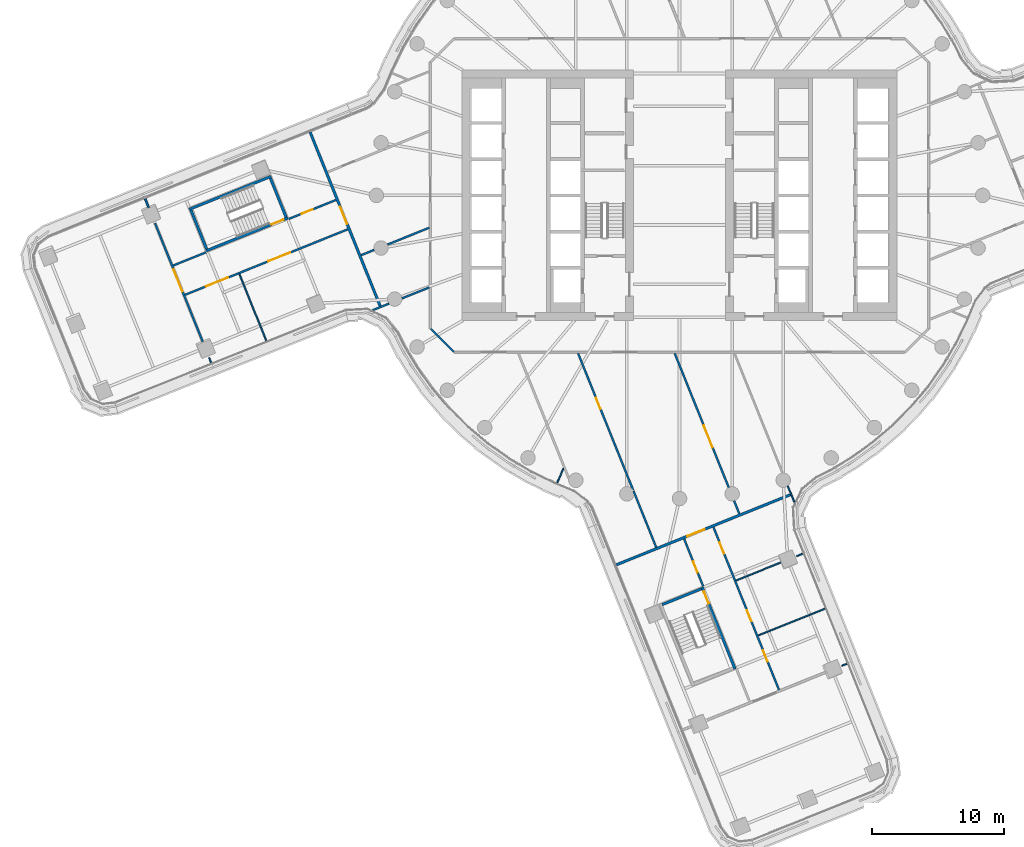
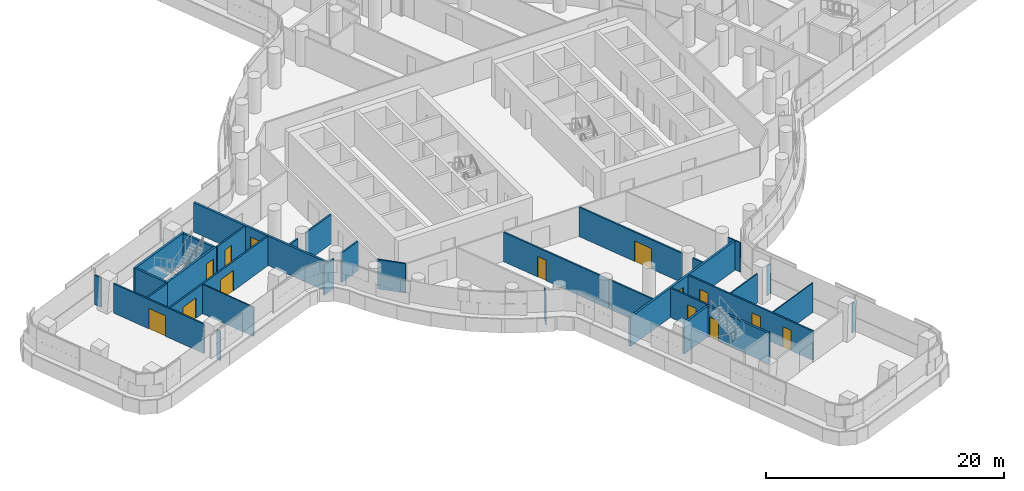
# One storey, part 20 of 32: 32 walls, 14 doors, 14 openings.
"""IFC4 building model written with IfcOpenShell, lengths in metres."""

from ifc_helpers import new_model, si_unit, direction, frame, frame_2d, origin, place, context, subcontext, project, spatial, polyline, rectangle, outline, extrude, material, layer, layer_set, type_object, element, fill, save


model = new_model("IFC4")

# Units and contexts
model_context = context("Model", 3, precision=1e-05, world=origin(), true_north=direction((0.0, 1.0)))
body_context = subcontext(model_context, "Body", "Model", "MODEL_VIEW")
ifc_project = project(units=[si_unit("LENGTHUNIT", "METRE"), si_unit("AREAUNIT", "SQUARE_METRE"), si_unit("VOLUMEUNIT", "CUBIC_METRE"), si_unit("PLANEANGLEUNIT", "RADIAN"), si_unit("MASSUNIT", "GRAM", prefix="KILO")], contexts=[model_context])

# Site, building, storey
site_placement = place(None, origin())
site = spatial("IfcSite", under=ifc_project, at=site_placement, CompositionType="ELEMENT")
building_placement = place(site_placement, origin())
building = spatial("IfcBuilding", under=site, at=building_placement, Name="Tamarind Cross Interchange Tower", CompositionType="ELEMENT")
storey_placement = place(building_placement, frame((0.0, 0.0, 113.5)))
storey = spatial("IfcBuildingStorey", under=building, at=storey_placement, Name="L27", CompositionType="ELEMENT", Elevation=113.5)

# Walls
ifc_material_1 = material(Name="Gypsum board partition on steel studs", Category="steel")
ifc_layer_1 = layer(ifc_material_1, 0.10009765625)
ifc_layer_set_1 = layer_set([ifc_layer_1], Name="Gypsum board partition on steel studs")
wall_type_1 = type_object("IfcWallType", Name="Partition 100 mm EI 90", PredefinedType="PARTITIONING", material=ifc_layer_set_1)
wall_1_placement = place(storey_placement, frame((-35.692138671875, -12.310546875, 0.0), z_axis=(0.0, 0.0, 1.0), x_axis=(0.373446869977, -0.92765156999, 0.0)))
element("IfcWall", 1, at=wall_1_placement, inside=storey, type_object=wall_type_1, Name="Partition L27-003", PredefinedType="PARTITIONING", context=body_context, shape_type="SweptSolid", body=[
    extrude(rectangle(XDim=0.4091796875, YDim=0.10009765625, at=frame_2d((0.20458984375, 0.0))), origin(), (0.0, 0.0, 1.0), 3.010009765625),
])
wall_2_placement = place(storey_placement, frame((-33.39697265625, -5.965576171875, 0.0), z_axis=(0.0, 0.0, 1.0), x_axis=(0.373724448616, -0.92753977624, 0.0)))
element("IfcWall", 2, at=wall_2_placement, inside=storey, type_object=wall_type_1, Name="Partition L27-004", PredefinedType="PARTITIONING", context=body_context, shape_type="SweptSolid", body=[
    extrude(rectangle(XDim=5.4443359375, YDim=0.10009765625, at=frame_2d((2.72216796875, 0.0))), origin(), (0.0, 0.0, 1.0), 3.010009765625),
])
wall_3_placement = place(storey_placement, frame((8.207763671875, -22.03662109375, 0.0), z_axis=(0.0, 0.0, 1.0), x_axis=(0.373637172646, -0.927574936712, 0.0)))
element("IfcWall", 3, at=wall_3_placement, inside=storey, type_object=wall_type_1, Name="Partition L27-026", PredefinedType="PARTITIONING", context=body_context, shape_type="SweptSolid", body=[
    extrude(rectangle(XDim=1.32958984375, YDim=0.10009765625, at=frame_2d((0.664794921875, 0.0))), origin(), (0.0, 0.0, 1.0), 3.010009765625),
])
wall_4_placement = place(storey_placement, frame((12.310546875, -35.692138671875, 0.0), z_axis=(0.0, 0.0, 1.0), x_axis=(0.92765156999, 0.373446869977, 0.0)))
element("IfcWall", 4, at=wall_4_placement, inside=storey, type_object=wall_type_1, Name="Partition L27-064", PredefinedType="PARTITIONING", context=body_context, shape_type="SweptSolid", body=[
    extrude(rectangle(XDim=0.4091796875, YDim=0.10009765625, at=frame_2d((0.20458984375, 0.0))), origin(), (0.0, 0.0, 1.0), 3.010009765625),
])
wall_5_placement = place(storey_placement, frame((4.2880859375, -29.22021484375, 0.0), z_axis=(0.0, 0.0, 1.0), x_axis=(0.92759458759, 0.373588384553, 0.0)))
element("IfcWall", 5, at=wall_5_placement, inside=storey, type_object=wall_type_1, Name="Partition L27-065", PredefinedType="PARTITIONING", context=body_context, shape_type="SweptSolid", body=[
    extrude(rectangle(XDim=3.637451171875, YDim=0.10009765625, at=frame_2d((1.81884765625, 0.0))), origin(), (0.0, 0.0, 1.0), 3.010009765625),
])
wall_6_placement = place(storey_placement, frame((8.87158203125, -27.37451171875, 0.0), z_axis=(0.0, 0.0, 1.0), x_axis=(0.927441472032, 0.373968335497, 0.0)))
element("IfcWall", 6, at=wall_6_placement, inside=storey, type_object=wall_type_1, Name="Partition L27-066", PredefinedType="PARTITIONING", context=body_context, shape_type="SweptSolid", body=[
    extrude(rectangle(XDim=0.505859375, YDim=0.10009765625, at=frame_2d((0.2529296875, 0.0))), origin(), (0.0, 0.0, 1.0), 3.010009765625),
])
wall_7_placement = place(storey_placement, frame((5.965576171875, -33.39697265625, 0.0), z_axis=(0.0, 0.0, 1.0), x_axis=(0.92753977624, 0.373724448616, 0.0)))
element("IfcWall", 7, at=wall_7_placement, inside=storey, type_object=wall_type_1, Name="Partition L27-067", PredefinedType="PARTITIONING", context=body_context, shape_type="SweptSolid", body=[
    extrude(rectangle(XDim=5.4443359375, YDim=0.10009765625, at=frame_2d((2.72216796875, 0.0))), origin(), (0.0, 0.0, 1.0), 3.010009765625),
])
wall_8_placement = place(storey_placement, frame((-9.280517578125, -21.800048828125, 0.0), z_axis=(0.0, 0.0, 1.0), x_axis=(0.392152757944, 0.919900111119, 0.0)))
element("IfcWall", 8, at=wall_8_placement, inside=storey, type_object=wall_type_1, Name="Partition L27-080", PredefinedType="PARTITIONING", context=body_context, shape_type="SweptSolid", body=[
    extrude(rectangle(XDim=1.184814453125, YDim=0.10009765625, at=frame_2d((0.59228515625, 0.0))), origin(), (0.0, 0.0, 1.0), 3.010009765625),
])
ifc_layer_2 = layer(ifc_material_1, 0.14990234375)
ifc_layer_set_2 = layer_set([ifc_layer_2], Name="Gypsum board partition on steel studs")
wall_type_2 = type_object("IfcWallType", Name="Partition 150 mm EI 120", PredefinedType="PARTITIONING", material=ifc_layer_set_2)
wall_9_placement = place(storey_placement, frame((-40.549560546875, -0.25, 0.0), z_axis=(0.0, 0.0, 1.0), x_axis=(0.373696958213, -0.927550852203, 0.0)))
element("IfcWall", 9, at=wall_9_placement, inside=storey, type_object=wall_type_2, Name="Partition L27-001", PredefinedType="PARTITIONING", context=body_context, shape_type="SweptSolid", body=[
    extrude(rectangle(XDim=0.71142578125, YDim=0.14990234375, at=frame_2d((0.355712890625, 0.0))), origin(), (0.0, 0.0, 1.0), 3.010009765625),
])

# Wall, opening, door
wall_10_placement = place(storey_placement, frame((-39.796630859375, -2.119384765625, 0.0), z_axis=(0.0, 0.0, 1.0), x_axis=(0.373593668534, -0.927592459452, 0.0)))
wall_10 = element("IfcWall", 10, at=wall_10_placement, inside=storey, type_object=wall_type_2, Name="Partition L27-002", PredefinedType="PARTITIONING", context=body_context, shape_type="SweptSolid", body=[
    extrude(rectangle(XDim=9.682861328125, YDim=0.14990234375, at=frame_2d((4.84130859375, 0.0))), origin(), (0.0, 0.0, 1.0), 3.010009765625),
])
opening_1_placement = place(wall_10_placement, frame((3.783935546875, 0.0, 0.0)))
opening_1 = element("IfcOpeningElement", 11, at=opening_1_placement, cuts=wall_10, Name="Opening D01", PredefinedType="OPENING", context=body_context, shape_type="SweptSolid", body=[
    extrude(rectangle(XDim=1.800048828125, YDim=2.10009765625, at=frame_2d((0.89990234375, 1.050048828125))), frame((0.0, 0.0849609375, 0.0), z_axis=(0.0, -1.0, 0.0), x_axis=(1.0, 0.0, 0.0)), (0.0, 0.0, 1.0), 0.169921875),
])
ifc_material_2 = material(Name="Fire-resisting door set")
door_type_1 = type_object("IfcDoorType", Name="Interior door 1800 x 2100 FD60S", OperationType="DOUBLE_DOOR_SINGLE_SWING", PredefinedType="DOOR", material=ifc_material_2)
door_1_placement = place(opening_1_placement, origin())
door_1 = element("IfcDoor", 12, at=door_1_placement, inside=storey, type_object=door_type_1, Name="Door D01", OperationType="DOUBLE_DOOR_SINGLE_SWING", OverallHeight=2.10009765625, OverallWidth=1.800048828125, PredefinedType="DOOR", context=body_context, shape_type="SweptSolid", body=[
    extrude(rectangle(XDim=1.800048828125, YDim=2.10009765625, at=frame_2d((0.89990234375, 1.050048828125))), frame((0.0, 0.02490234375, 0.0), z_axis=(0.0, -1.0, 0.0), x_axis=(1.0, 0.0, 0.0)), (0.0, 0.0, 1.0), 0.050048828125),
])
fill(opening_1, door_1)

wall_11_placement = place(storey_placement, frame((-7.700439453125, -11.9833984375, 0.0), z_axis=(0.0, 0.0, 1.0), x_axis=(0.373640057319, -0.92757377473, 0.0)))
wall_11 = element("IfcWall", 13, at=wall_11_placement, inside=storey, type_object=wall_type_2, Name="Partition L27-009", PredefinedType="PARTITIONING", context=body_context, shape_type="SweptSolid", body=[
    extrude(rectangle(XDim=11.18505859375, YDim=0.14990234375, at=frame_2d((5.592529296875, 0.0))), origin(), (0.0, 0.0, 1.0), 3.010009765625),
])
opening_2_placement = place(wall_11_placement, frame((3.659912109375, 0.0, 0.0)))
opening_2 = element("IfcOpeningElement", 14, at=opening_2_placement, cuts=wall_11, Name="Opening D03", PredefinedType="OPENING", context=body_context, shape_type="SweptSolid", body=[
    extrude(rectangle(XDim=0.89990234375, YDim=2.10009765625, at=frame_2d((0.449951171875, 1.050048828125))), frame((0.0, 0.0849609375, 0.0), z_axis=(0.0, -1.0, 0.0), x_axis=(1.0, 0.0, 0.0)), (0.0, 0.0, 1.0), 0.169921875),
])
door_type_2 = type_object("IfcDoorType", Name="Interior door 900 x 2100 FD60S", OperationType="SINGLE_SWING_LEFT", PredefinedType="DOOR", material=ifc_material_2)
door_2_placement = place(opening_2_placement, frame((0.89990234375, 0.0, 0.0), z_axis=(0.0, 0.0, 1.0), x_axis=(-1.0, 0.0, 0.0)))
door_2 = element("IfcDoor", 15, at=door_2_placement, inside=storey, type_object=door_type_2, Name="Door D03", OperationType="SINGLE_SWING_LEFT", OverallHeight=2.10009765625, OverallWidth=0.89990234375, PredefinedType="DOOR", context=body_context, shape_type="SweptSolid", body=[
    extrude(rectangle(XDim=0.89990234375, YDim=2.10009765625, at=frame_2d((0.449951171875, 1.050048828125))), frame((0.0, 0.02490234375, 0.0), z_axis=(0.0, -1.0, 0.0), x_axis=(1.0, 0.0, 0.0)), (0.0, 0.0, 1.0), 0.050048828125),
])
fill(opening_2, door_2)

# Wall
wall_12_placement = place(storey_placement, frame((-3.494384765625, -22.4248046875, 0.0), z_axis=(0.0, 0.0, 1.0), x_axis=(0.373626027874, -0.927579425869, 0.0)))
element("IfcWall", 16, at=wall_12_placement, inside=storey, type_object=wall_type_2, Name="Partition L27-010", PredefinedType="PARTITIONING", context=body_context, shape_type="SweptSolid", body=[
    extrude(rectangle(XDim=4.611328125, YDim=0.14990234375, at=frame_2d((2.3056640625, 0.0))), origin(), (0.0, 0.0, 1.0), 3.010009765625),
])

# Wall, opening, door
wall_13_placement = place(storey_placement, frame((-0.369384765625, -11.9833984375, 0.0), z_axis=(0.0, 0.0, 1.0), x_axis=(0.373668275566, -0.927562407515, 0.0)))
wall_13 = element("IfcWall", 17, at=wall_13_placement, inside=storey, type_object=wall_type_2, Name="Partition L27-017", PredefinedType="PARTITIONING", context=body_context, shape_type="SweptSolid", body=[
    extrude(rectangle(XDim=10.97265625, YDim=0.14990234375, at=frame_2d((5.486328125, 0.0))), origin(), (0.0, 0.0, 1.0), 3.010009765625),
])
opening_3_placement = place(wall_13_placement, frame((5.909912109375, 0.0, 0.0)))
opening_3 = element("IfcOpeningElement", 18, at=opening_3_placement, cuts=wall_13, Name="Opening D11", PredefinedType="OPENING", context=body_context, shape_type="SweptSolid", body=[
    extrude(rectangle(XDim=1.800048828125, YDim=2.10009765625, at=frame_2d((0.89990234375, 1.050048828125))), frame((0.0, 0.0849609375, 0.0), z_axis=(0.0, -1.0, 0.0), x_axis=(1.0, 0.0, 0.0)), (0.0, 0.0, 1.0), 0.169921875),
])
door_3_placement = place(opening_3_placement, origin())
door_3 = element("IfcDoor", 19, at=door_3_placement, inside=storey, type_object=door_type_1, Name="Door D11", OperationType="DOUBLE_DOOR_SINGLE_SWING", OverallHeight=2.10009765625, OverallWidth=1.800048828125, PredefinedType="DOOR", context=body_context, shape_type="SweptSolid", body=[
    extrude(rectangle(XDim=1.800048828125, YDim=2.10009765625, at=frame_2d((0.89990234375, 1.050048828125))), frame((0.0, 0.02490234375, 0.0), z_axis=(0.0, -1.0, 0.0), x_axis=(1.0, 0.0, 0.0)), (0.0, 0.0, 1.0), 0.050048828125),
])
fill(opening_3, door_3)

# Wall
wall_14_placement = place(storey_placement, frame((4.13818359375, -23.171875, 0.0), z_axis=(0.0, 0.0, 1.0), x_axis=(0.373599900648, -0.927589949404, 0.0)))
element("IfcWall", 20, at=wall_14_placement, inside=storey, type_object=wall_type_2, Name="Partition L27-018", PredefinedType="PARTITIONING", context=body_context, shape_type="SweptSolid", body=[
    extrude(rectangle(XDim=1.06640625, YDim=0.14990234375, at=frame_2d((0.533203125, 0.0))), origin(), (0.0, 0.0, 1.0), 3.010009765625),
])

# Wall, opening, door
wall_15_placement = place(storey_placement, frame((0.344482421875, -26.06591796875, 0.0), z_axis=(0.0, 0.0, 1.0), x_axis=(0.373690194782, -0.927553577064, 0.0)))
wall_15 = element("IfcWall", 21, at=wall_15_placement, inside=storey, type_object=wall_type_2, Name="Partition L27-019", PredefinedType="PARTITIONING", context=body_context, shape_type="SweptSolid", body=[
    extrude(rectangle(XDim=3.860595703125, YDim=0.14990234375, at=frame_2d((1.93017578125, 0.0))), origin(), (0.0, 0.0, 1.0), 3.010009765625),
])
opening_4_placement = place(wall_15_placement, frame((1.85009765625, 0.0, 0.0)))
opening_4 = element("IfcOpeningElement", 22, at=opening_4_placement, cuts=wall_15, Name="Opening D12", PredefinedType="OPENING", context=body_context, shape_type="SweptSolid", body=[
    extrude(rectangle(XDim=0.89990234375, YDim=2.10009765625, at=frame_2d((0.449951171875, 1.050048828125))), frame((0.0, 0.0849609375, 0.0), z_axis=(0.0, -1.0, 0.0), x_axis=(1.0, 0.0, 0.0)), (0.0, 0.0, 1.0), 0.169921875),
])
door_4_placement = place(opening_4_placement, frame((0.89990234375, 0.0, 0.0), z_axis=(0.0, 0.0, 1.0), x_axis=(-1.0, 0.0, 0.0)))
door_4 = element("IfcDoor", 23, at=door_4_placement, inside=storey, type_object=door_type_2, Name="Door D12", OperationType="SINGLE_SWING_RIGHT", OverallHeight=2.10009765625, OverallWidth=0.89990234375, PredefinedType="DOOR", context=body_context, shape_type="SweptSolid", body=[
    extrude(rectangle(XDim=0.89990234375, YDim=2.10009765625, at=frame_2d((0.449951171875, 1.050048828125))), frame((0.0, 0.02490234375, 0.0), z_axis=(0.0, -1.0, 0.0), x_axis=(1.0, 0.0, 0.0)), (0.0, 0.0, 1.0), 0.050048828125),
])
fill(opening_4, door_4)

# Wall, openings, doors
wall_16_placement = place(storey_placement, frame((2.572265625, -25.17333984375, 0.0), z_axis=(0.0, 0.0, 1.0), x_axis=(0.373605584832, -0.927587659999, 0.0)))
wall_16 = element("IfcWall", 24, at=wall_16_placement, inside=storey, type_object=wall_type_2, Name="Partition L27-022", PredefinedType="PARTITIONING", context=body_context, shape_type="SweptSolid", body=[
    extrude(rectangle(XDim=13.315673828125, YDim=0.14990234375, at=frame_2d((6.65771484375, 0.0))), origin(), (0.0, 0.0, 1.0), 3.010009765625),
])
opening_5_placement = place(wall_16_placement, frame((1.2451171875, 0.0, 0.0)))
opening_5 = element("IfcOpeningElement", 25, at=opening_5_placement, cuts=wall_16, Name="Opening D14", PredefinedType="OPENING", context=body_context, shape_type="SweptSolid", body=[
    extrude(rectangle(XDim=0.89990234375, YDim=2.10009765625, at=frame_2d((0.449951171875, 1.050048828125))), frame((0.0, 0.0849609375, 0.0), z_axis=(0.0, -1.0, 0.0), x_axis=(1.0, 0.0, 0.0)), (0.0, 0.0, 1.0), 0.169921875),
])
opening_6_placement = place(wall_16_placement, frame((6.794921875, 0.0, 0.0)))
opening_6 = element("IfcOpeningElement", 26, at=opening_6_placement, cuts=wall_16, Name="Opening D15", PredefinedType="OPENING", context=body_context, shape_type="SweptSolid", body=[
    extrude(rectangle(XDim=0.89990234375, YDim=2.10009765625, at=frame_2d((0.449951171875, 1.050048828125))), frame((0.0, 0.0849609375, 0.0), z_axis=(0.0, -1.0, 0.0), x_axis=(1.0, 0.0, 0.0)), (0.0, 0.0, 1.0), 0.169921875),
])
opening_7_placement = place(wall_16_placement, frame((10.095947265625, 0.0, 0.0)))
opening_7 = element("IfcOpeningElement", 27, at=opening_7_placement, cuts=wall_16, Name="Opening D16", PredefinedType="OPENING", context=body_context, shape_type="SweptSolid", body=[
    extrude(rectangle(XDim=0.89990234375, YDim=2.10009765625, at=frame_2d((0.449951171875, 1.050048828125))), frame((0.0, 0.0849609375, 0.0), z_axis=(0.0, -1.0, 0.0), x_axis=(1.0, 0.0, 0.0)), (0.0, 0.0, 1.0), 0.169921875),
])
door_5_placement = place(opening_5_placement, origin())
door_5 = element("IfcDoor", 28, at=door_5_placement, inside=storey, type_object=door_type_2, Name="Door D14", OperationType="SINGLE_SWING_RIGHT", OverallHeight=2.10009765625, OverallWidth=0.89990234375, PredefinedType="DOOR", context=body_context, shape_type="SweptSolid", body=[
    extrude(rectangle(XDim=0.89990234375, YDim=2.10009765625, at=frame_2d((0.449951171875, 1.050048828125))), frame((0.0, 0.02490234375, 0.0), z_axis=(0.0, -1.0, 0.0), x_axis=(1.0, 0.0, 0.0)), (0.0, 0.0, 1.0), 0.050048828125),
])
fill(opening_5, door_5)
door_6_placement = place(opening_6_placement, origin())
door_6 = element("IfcDoor", 29, at=door_6_placement, inside=storey, type_object=door_type_2, Name="Door D15", OperationType="SINGLE_SWING_LEFT", OverallHeight=2.10009765625, OverallWidth=0.89990234375, PredefinedType="DOOR", context=body_context, shape_type="SweptSolid", body=[
    extrude(rectangle(XDim=0.89990234375, YDim=2.10009765625, at=frame_2d((0.449951171875, 1.050048828125))), frame((0.0, 0.02490234375, 0.0), z_axis=(0.0, -1.0, 0.0), x_axis=(1.0, 0.0, 0.0)), (0.0, 0.0, 1.0), 0.050048828125),
])
fill(opening_6, door_6)
door_7_placement = place(opening_7_placement, origin())
door_7 = element("IfcDoor", 30, at=door_7_placement, inside=storey, type_object=door_type_2, Name="Door D16", OperationType="SINGLE_SWING_LEFT", OverallHeight=2.10009765625, OverallWidth=0.89990234375, PredefinedType="DOOR", context=body_context, shape_type="SweptSolid", body=[
    extrude(rectangle(XDim=0.89990234375, YDim=2.10009765625, at=frame_2d((0.449951171875, 1.050048828125))), frame((0.0, 0.02490234375, 0.0), z_axis=(0.0, -1.0, 0.0), x_axis=(1.0, 0.0, 0.0)), (0.0, 0.0, 1.0), 0.050048828125),
])
fill(opening_7, door_7)

# Walls
wall_17_placement = place(storey_placement, frame((-18.87158203125, -10.12841796875, 0.0), z_axis=(0.0, 0.0, 1.0), x_axis=(0.707106781187, -0.707106781187, 0.0)))
element("IfcWall", 31, at=wall_17_placement, inside=storey, type_object=wall_type_2, Name="Partition L27-037", PredefinedType="PARTITIONING", context=body_context, shape_type="SweptSolid", body=[
    extrude(rectangle(XDim=2.465087890625, YDim=0.14990234375, at=frame_2d((1.232421875, 0.0))), origin(), (0.0, 0.0, 1.0), 3.010009765625),
])
wall_18_placement = place(storey_placement, frame((-38.42529296875, -5.322998046875, 0.0), z_axis=(0.0, 0.0, 1.0), x_axis=(0.927545709993, 0.373709721407, 0.0)))
element("IfcWall", 32, at=wall_18_placement, inside=storey, type_object=wall_type_2, Name="Partition L27-043", PredefinedType="PARTITIONING", context=body_context, shape_type="SweptSolid", body=[
    extrude(rectangle(XDim=2.68505859375, YDim=0.14990234375, at=frame_2d((1.342529296875, 0.0))), origin(), (0.0, 0.0, 1.0), 3.010009765625),
])

# Wall, opening, door
wall_19_placement = place(storey_placement, frame((-29.646728515625, -1.786865234375, 0.0), z_axis=(0.0, 0.0, 1.0), x_axis=(0.927575496383, 0.37363578323, 0.0)))
wall_19 = element("IfcWall", 33, at=wall_19_placement, inside=storey, type_object=wall_type_2, Name="Partition L27-044", PredefinedType="PARTITIONING", context=body_context, shape_type="SweptSolid", body=[
    extrude(rectangle(XDim=3.8603515625, YDim=0.14990234375, at=frame_2d((1.93017578125, 0.0))), origin(), (0.0, 0.0, 1.0), 3.010009765625),
])
opening_8_placement = place(wall_19_placement, frame((1.050048828125, 0.0, 0.0)))
opening_8 = element("IfcOpeningElement", 34, at=opening_8_placement, cuts=wall_19, Name="Opening D26", PredefinedType="OPENING", context=body_context, shape_type="SweptSolid", body=[
    extrude(rectangle(XDim=0.89990234375, YDim=2.10009765625, at=frame_2d((0.449951171875, 1.050048828125))), frame((0.0, 0.0849609375, 0.0), z_axis=(0.0, -1.0, 0.0), x_axis=(1.0, 0.0, 0.0)), (0.0, 0.0, 1.0), 0.169921875),
])
door_8_placement = place(opening_8_placement, origin())
door_8 = element("IfcDoor", 35, at=door_8_placement, inside=storey, type_object=door_type_2, Name="Door D26", OperationType="SINGLE_SWING_RIGHT", OverallHeight=2.10009765625, OverallWidth=0.89990234375, PredefinedType="DOOR", context=body_context, shape_type="SweptSolid", body=[
    extrude(rectangle(XDim=0.89990234375, YDim=2.10009765625, at=frame_2d((0.449951171875, 1.050048828125))), frame((0.0, 0.02490234375, 0.0), z_axis=(0.0, -1.0, 0.0), x_axis=(1.0, 0.0, 0.0)), (0.0, 0.0, 1.0), 0.050048828125),
])
fill(opening_8, door_8)

# Wall, openings, doors
wall_20_placement = place(storey_placement, frame((-37.52490234375, -7.547119140625, 0.0), z_axis=(0.0, 0.0, 1.0), x_axis=(0.927602926179, 0.373567679736, 0.0)))
wall_20 = element("IfcWall", 36, at=wall_20_placement, inside=storey, type_object=wall_type_2, Name="Partition L27-045", PredefinedType="PARTITIONING", context=body_context, shape_type="SweptSolid", body=[
    extrude(rectangle(XDim=13.31591796875, YDim=0.14990234375, at=frame_2d((6.657958984375, 0.0))), origin(), (0.0, 0.0, 1.0), 3.010009765625),
])
opening_9_placement = place(wall_20_placement, frame((6.81982421875, 0.0, 0.0)))
opening_9 = element("IfcOpeningElement", 37, at=opening_9_placement, cuts=wall_20, Name="Opening D27", PredefinedType="OPENING", context=body_context, shape_type="SweptSolid", body=[
    extrude(rectangle(XDim=1.800048828125, YDim=2.10009765625, at=frame_2d((0.89990234375, 1.050048828125))), frame((0.0, 0.0849609375, 0.0), z_axis=(0.0, -1.0, 0.0), x_axis=(1.0, 0.0, 0.0)), (0.0, 0.0, 1.0), 0.169921875),
])
opening_10_placement = place(wall_20_placement, frame((1.719970703125, 0.0, 0.0)))
opening_10 = element("IfcOpeningElement", 38, at=opening_10_placement, cuts=wall_20, Name="Opening D28", PredefinedType="OPENING", context=body_context, shape_type="SweptSolid", body=[
    extrude(rectangle(XDim=1.800048828125, YDim=2.10009765625, at=frame_2d((0.89990234375, 1.050048828125))), frame((0.0, 0.0849609375, 0.0), z_axis=(0.0, -1.0, 0.0), x_axis=(1.0, 0.0, 0.0)), (0.0, 0.0, 1.0), 0.169921875),
])
door_9_placement = place(opening_9_placement, frame((1.800048828125, 0.0, 0.0), z_axis=(0.0, 0.0, 1.0), x_axis=(-1.0, 0.0, 0.0)))
door_9 = element("IfcDoor", 39, at=door_9_placement, inside=storey, type_object=door_type_1, Name="Door D27", OperationType="DOUBLE_DOOR_SINGLE_SWING", OverallHeight=2.10009765625, OverallWidth=1.800048828125, PredefinedType="DOOR", context=body_context, shape_type="SweptSolid", body=[
    extrude(rectangle(XDim=1.800048828125, YDim=2.10009765625, at=frame_2d((0.89990234375, 1.050048828125))), frame((0.0, 0.02490234375, 0.0), z_axis=(0.0, -1.0, 0.0), x_axis=(1.0, 0.0, 0.0)), (0.0, 0.0, 1.0), 0.050048828125),
])
fill(opening_9, door_9)
door_10_placement = place(opening_10_placement, frame((1.800048828125, 0.0, 0.0), z_axis=(0.0, 0.0, 1.0), x_axis=(-1.0, 0.0, 0.0)))
door_10 = element("IfcDoor", 40, at=door_10_placement, inside=storey, type_object=door_type_1, Name="Door D28", OperationType="DOUBLE_DOOR_SINGLE_SWING", OverallHeight=2.10009765625, OverallWidth=1.800048828125, PredefinedType="DOOR", context=body_context, shape_type="SweptSolid", body=[
    extrude(rectangle(XDim=1.800048828125, YDim=2.10009765625, at=frame_2d((0.89990234375, 1.050048828125))), frame((0.0, 0.02490234375, 0.0), z_axis=(0.0, -1.0, 0.0), x_axis=(1.0, 0.0, 0.0)), (0.0, 0.0, 1.0), 0.050048828125),
])
fill(opening_10, door_10)

# Walls
wall_21_placement = place(storey_placement, frame((-24.1611328125, -4.53662109375, 0.0), z_axis=(0.0, 0.0, 1.0), x_axis=(0.927557987073, 0.37367924831, 0.0)))
element("IfcWall", 41, at=wall_21_placement, inside=storey, type_object=wall_type_2, Name="Partition L27-048", PredefinedType="PARTITIONING", context=body_context, shape_type="SweptSolid", body=[
    extrude(rectangle(XDim=1.066162109375, YDim=0.14990234375, at=frame_2d((0.533203125, 0.0))), origin(), (0.0, 0.0, 1.0), 3.010009765625),
])
wall_22_placement = place(storey_placement, frame((-22.1611328125, -3.730712890625, 0.0), z_axis=(0.0, 0.0, 1.0), x_axis=(0.927574565159, 0.373638095047, 0.0)))
element("IfcWall", 42, at=wall_22_placement, inside=storey, type_object=wall_type_2, Name="Partition L27-049", PredefinedType="PARTITIONING", context=body_context, shape_type="SweptSolid", body=[
    extrude(rectangle(XDim=3.42578125, YDim=0.14990234375, at=frame_2d((1.712890625, 0.0))), origin(), (0.0, 0.0, 1.0), 3.010009765625),
])
wall_23_placement = place(storey_placement, frame((-23.26953125, -8.704833984375, 0.0), z_axis=(0.0, 0.0, 1.0), x_axis=(0.927549297967, 0.37370081595, 0.0)))
element("IfcWall", 43, at=wall_23_placement, inside=storey, type_object=wall_type_2, Name="Partition L27-050", PredefinedType="PARTITIONING", context=body_context, shape_type="SweptSolid", body=[
    extrude(rectangle(XDim=1.32958984375, YDim=0.14990234375, at=frame_2d((0.664794921875, 0.0))), origin(), (0.0, 0.0, 1.0), 3.010009765625),
])
wall_24_placement = place(storey_placement, frame((-21.066162109375, -7.8173828125, 0.0), z_axis=(0.0, 0.0, 1.0), x_axis=(0.92758920546, 0.373601747739, 0.0)))
element("IfcWall", 44, at=wall_24_placement, inside=storey, type_object=wall_type_2, Name="Partition L27-051", PredefinedType="PARTITIONING", context=body_context, shape_type="SweptSolid", body=[
    extrude(rectangle(XDim=2.245361328125, YDim=0.14990234375, at=frame_2d((1.12255859375, 0.0))), origin(), (0.0, 0.0, 1.0), 3.010009765625),
])

# Wall, opening, door
ifc_layer_3 = layer(ifc_material_1, 0.199951171875)
ifc_layer_set_3 = layer_set([ifc_layer_3], Name="Gypsum board partition on steel studs")
wall_type_3 = type_object("IfcWallType", Name="Partition 200 mm EI 180", PredefinedType="PARTITIONING", material=ifc_layer_set_3)
wall_25_placement = place(storey_placement, frame((-28.027587890625, 4.7939453125, 0.0), z_axis=(0.0, 0.0, 1.0), x_axis=(0.373618022446, -0.927582650389, 0.0)))
wall_25 = element("IfcWall", 45, at=wall_25_placement, inside=storey, type_object=wall_type_3, Name="Partition L27-005", PredefinedType="PARTITIONING", context=body_context, shape_type="SweptSolid", body=[
    extrude(rectangle(XDim=14.2236328125, YDim=0.199951171875, at=frame_2d((7.11181640625, 0.0))), origin(), (0.0, 0.0, 1.0), 3.010009765625),
])
opening_11_placement = place(wall_25_placement, frame((6.099365234375, 0.0, 0.0)))
opening_11 = element("IfcOpeningElement", 46, at=opening_11_placement, cuts=wall_25, Name="Opening D02", PredefinedType="OPENING", context=body_context, shape_type="SweptSolid", body=[
    extrude(rectangle(XDim=1.39990234375, YDim=2.10009765625, at=frame_2d((0.699951171875, 1.050048828125))), frame((0.0, 0.10986328125, 0.0), z_axis=(0.0, -1.0, 0.0), x_axis=(1.0, 0.0, 0.0)), (0.0, 0.0, 1.0), 0.219970703125),
])
door_type_3 = type_object("IfcDoorType", Name="Interior door 1400 x 2100 FD120S", OperationType="DOUBLE_DOOR_SINGLE_SWING", PredefinedType="DOOR", material=ifc_material_2)
door_11_placement = place(opening_11_placement, origin())
door_11 = element("IfcDoor", 47, at=door_11_placement, inside=storey, type_object=door_type_3, Name="Door D02", OperationType="DOUBLE_DOOR_SINGLE_SWING", OverallHeight=2.10009765625, OverallWidth=1.39990234375, PredefinedType="DOOR", context=body_context, shape_type="SweptSolid", body=[
    extrude(rectangle(XDim=1.39990234375, YDim=2.10009765625, at=frame_2d((0.699951171875, 1.050048828125))), frame((0.0, 0.02490234375, 0.0), z_axis=(0.0, -1.0, 0.0), x_axis=(1.0, 0.0, 0.0)), (0.0, 0.0, 1.0), 0.050048828125),
])
fill(opening_11, door_11)

wall_26_placement = place(storey_placement, frame((-4.7939453125, -28.027587890625, 0.0), z_axis=(0.0, 0.0, 1.0), x_axis=(0.927584222455, 0.373614119451, 0.0)))
wall_26 = element("IfcWall", 48, at=wall_26_placement, inside=storey, type_object=wall_type_3, Name="Partition L27-059", PredefinedType="PARTITIONING", context=body_context, shape_type="SweptSolid", body=[
    extrude(rectangle(XDim=14.24853515625, YDim=0.199951171875, at=frame_2d((7.124267578125, 0.0))), origin(), (0.0, 0.0, 1.0), 3.010009765625),
])
opening_12_placement = place(wall_26_placement, frame((5.79931640625, 0.0, 0.0)))
opening_12 = element("IfcOpeningElement", 49, at=opening_12_placement, cuts=wall_26, Name="Opening D32", PredefinedType="OPENING", context=body_context, shape_type="SweptSolid", body=[
    extrude(rectangle(XDim=1.39990234375, YDim=2.10009765625, at=frame_2d((0.699951171875, 1.050048828125))), frame((0.0, 0.10986328125, 0.0), z_axis=(0.0, -1.0, 0.0), x_axis=(1.0, 0.0, 0.0)), (0.0, 0.0, 1.0), 0.219970703125),
])
door_12_placement = place(opening_12_placement, origin())
door_12 = element("IfcDoor", 50, at=door_12_placement, inside=storey, type_object=door_type_3, Name="Door D32", OperationType="DOUBLE_DOOR_SINGLE_SWING", OverallHeight=2.10009765625, OverallWidth=1.39990234375, PredefinedType="DOOR", context=body_context, shape_type="SweptSolid", body=[
    extrude(rectangle(XDim=1.39990234375, YDim=2.10009765625, at=frame_2d((0.699951171875, 1.050048828125))), frame((0.0, 0.02490234375, 0.0), z_axis=(0.0, -1.0, 0.0), x_axis=(1.0, 0.0, 0.0)), (0.0, 0.0, 1.0), 0.050048828125),
])
fill(opening_12, door_12)

ifc_material_3 = material(Name="Concrete C40", Category="concrete")
ifc_layer_4 = layer(ifc_material_3, 0.199951171875)
ifc_layer_set_4 = layer_set([ifc_layer_4], Name="Concrete C40")
wall_type_4 = type_object("IfcWallType", Name="Stair shaft wall 200 mm Concrete C40", PredefinedType="SHEAR", material=ifc_layer_set_4)
wall_27_placement = place(storey_placement, frame((-29.720703125, -1.70849609375, -0.139892578125), z_axis=(0.0, 0.0, 1.0), x_axis=(-0.927561687704, -0.373670062359, 0.0)))
wall_27 = element("IfcWall", 51, at=wall_27_placement, inside=storey, type_object=wall_type_4, Name="Core wall CWL-L27-ST5-H", PredefinedType="SHEAR", context=body_context, shape_type="SweptSolid", body=[
    extrude(rectangle(XDim=6.7001953125, YDim=0.199951171875, at=frame_2d((3.35009765625, 0.0))), origin(), (0.0, 0.0, 1.0), 3.14990234375),
])
opening_13_placement = place(wall_27_placement, frame((0.35009765625, 0.0, 0.0)))
opening_13 = element("IfcOpeningElement", 52, at=opening_13_placement, cuts=wall_27, Name="Opening ST5L27", PredefinedType="OPENING", context=body_context, shape_type="SweptSolid", body=[
    extrude(rectangle(XDim=1.0, YDim=2.10009765625, at=frame_2d((0.5, 1.050048828125))), frame((0.0, 0.10986328125, 0.0), z_axis=(0.0, -1.0, 0.0), x_axis=(1.0, 0.0, 0.0)), (0.0, 0.0, 1.0), 0.219970703125),
])
ifc_material_4 = material(Name="Steel, fire-resisting", Category="steel")
door_type_4 = type_object("IfcDoorType", Name="Core fire door 1000 x 2100 FD90", OperationType="SINGLE_SWING_LEFT", PredefinedType="DOOR", material=ifc_material_4)
door_13_placement = place(opening_13_placement, origin())
door_13 = element("IfcDoor", 53, at=door_13_placement, inside=storey, type_object=door_type_4, Name="L27 stair door ST5", OperationType="SINGLE_SWING_LEFT", OverallHeight=2.10009765625, OverallWidth=1.0, PredefinedType="DOOR", context=body_context, shape_type="SweptSolid", body=[
    extrude(rectangle(XDim=1.0, YDim=2.10009765625, at=frame_2d((0.5, 1.050048828125))), frame((0.0, 0.02490234375, 0.0), z_axis=(0.0, -1.0, 0.0), x_axis=(1.0, 0.0, 0.0)), (0.0, 0.0, 1.0), 0.050048828125),
])
fill(opening_13, door_13)

# Walls
wall_28_placement = place(storey_placement, frame((-30.9912109375, 1.445068359375, -0.139892578125), z_axis=(0.0, 0.0, 1.0), x_axis=(-0.927569229512, -0.373651340775, 0.0)))
element("IfcWall", 54, at=wall_28_placement, inside=storey, type_object=wall_type_4, Name="Core wall CWL-L27-ST5-C", PredefinedType="SHEAR", context=body_context, shape_type="SweptSolid", body=[
    extrude(rectangle(XDim=6.699951171875, YDim=0.199951171875, at=frame_2d((3.35009765625, 0.0))), origin(), (0.0, 0.0, 1.0), 3.14990234375),
])
wall_29_placement = place(storey_placement, frame((-31.046630859375, 1.31494140625, -0.139892578125), z_axis=(0.0, 0.0, 1.0), x_axis=(0.373678308528, -0.927558365676, 0.0)))
element("IfcWall", 55, at=wall_29_placement, inside=storey, type_object=wall_type_4, Name="Core wall CWL-L27-ST5-CE", PredefinedType="SHEAR", context=body_context, shape_type="SweptSolid", body=[
    extrude(rectangle(XDim=3.2001953125, YDim=0.199951171875, at=frame_2d((1.60009765625, 0.0))), origin(), (0.0, 0.0, 1.0), 3.14990234375),
])
wall_30_placement = place(storey_placement, frame((0.0, 0.0, -0.139892578125)))
element("IfcWall", 56, at=wall_30_placement, inside=storey, type_object=wall_type_4, Name="Core wall CWL-L27-ST5-CF", PredefinedType="SHEAR", context=body_context, shape_type="SweptSolid", body=[
    extrude(outline(polyline([(-36.98291015625, -1.076416015625), (-37.168701171875, -1.151123046875), (-35.972900390625, -4.119384765625), (-35.787353515625, -4.044677734375), (-36.98291015625, -1.076416015625)])), origin(), (0.0, 0.0, 1.0), 3.14990234375),
])

# Wall, opening, door
wall_31_placement = place(storey_placement, frame((1.70849609375, -29.720703125, -0.139892578125), z_axis=(0.0, 0.0, 1.0), x_axis=(0.373670062359, -0.927561687704, 0.0)))
wall_31 = element("IfcWall", 57, at=wall_31_placement, inside=storey, type_object=wall_type_4, Name="Core wall CWL-L27-ST6-H", PredefinedType="SHEAR", context=body_context, shape_type="SweptSolid", body=[
    extrude(rectangle(XDim=6.7001953125, YDim=0.199951171875, at=frame_2d((3.35009765625, 0.0))), origin(), (0.0, 0.0, 1.0), 3.14990234375),
])
opening_14_placement = place(wall_31_placement, frame((0.35009765625, 0.0, 0.0)))
opening_14 = element("IfcOpeningElement", 58, at=opening_14_placement, cuts=wall_31, Name="Opening ST6L27", PredefinedType="OPENING", context=body_context, shape_type="SweptSolid", body=[
    extrude(rectangle(XDim=1.0, YDim=2.10009765625, at=frame_2d((0.5, 1.050048828125))), frame((0.0, 0.10986328125, 0.0), z_axis=(0.0, -1.0, 0.0), x_axis=(1.0, 0.0, 0.0)), (0.0, 0.0, 1.0), 0.219970703125),
])
door_14_placement = place(opening_14_placement, origin())
door_14 = element("IfcDoor", 59, at=door_14_placement, inside=storey, type_object=door_type_4, Name="L27 stair door ST6", OperationType="SINGLE_SWING_LEFT", OverallHeight=2.10009765625, OverallWidth=1.0, PredefinedType="DOOR", context=body_context, shape_type="SweptSolid", body=[
    extrude(rectangle(XDim=1.0, YDim=2.10009765625, at=frame_2d((0.5, 1.050048828125))), frame((0.0, 0.02490234375, 0.0), z_axis=(0.0, -1.0, 0.0), x_axis=(1.0, 0.0, 0.0)), (0.0, 0.0, 1.0), 0.050048828125),
])
fill(opening_14, door_14)

# Wall
wall_32_placement = place(storey_placement, frame((-1.31494140625, -31.046630859375, -0.139892578125), z_axis=(0.0, 0.0, 1.0), x_axis=(0.927558365676, 0.373678308528, 0.0)))
element("IfcWall", 60, at=wall_32_placement, inside=storey, type_object=wall_type_4, Name="Core wall CWL-L27-ST6-CE", PredefinedType="SHEAR", context=body_context, shape_type="SweptSolid", body=[
    extrude(rectangle(XDim=3.2001953125, YDim=0.199951171875, at=frame_2d((1.60009765625, 0.0))), origin(), (0.0, 0.0, 1.0), 3.14990234375),
])

save(model, "model.ifc")
